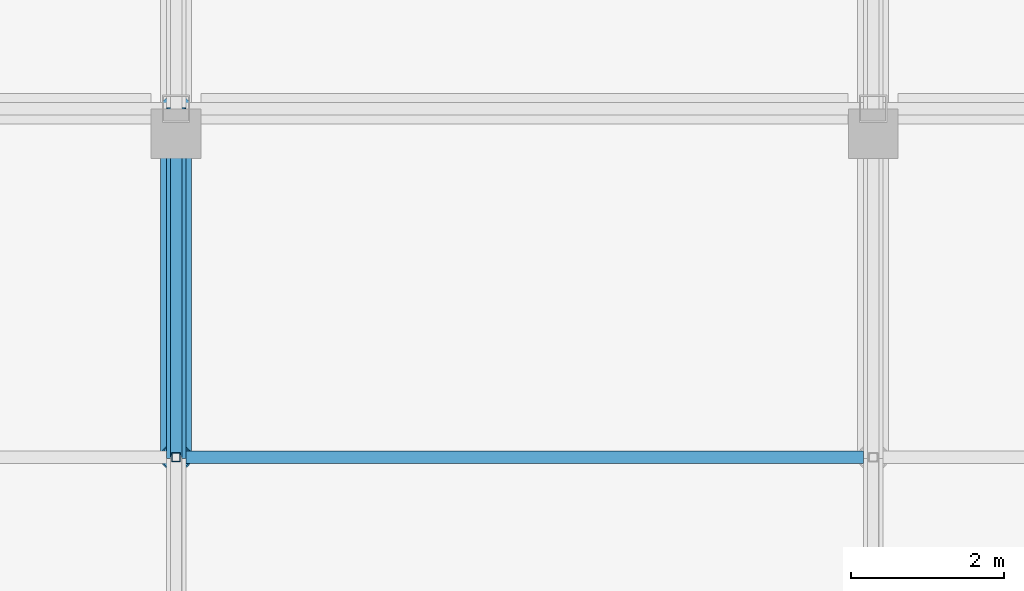
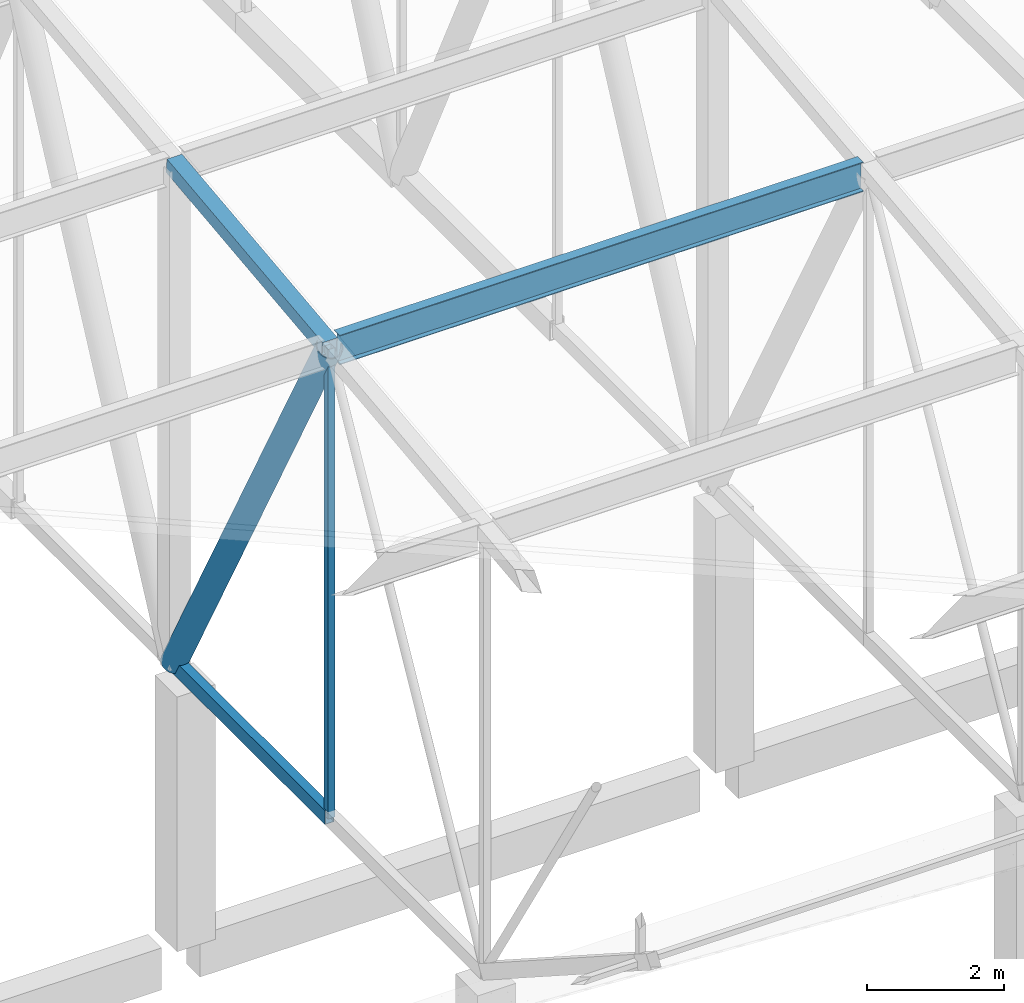
# One storey, part 96 of 500: 5 members.
"""IFC4 building model written with IfcOpenShell, lengths in metres."""

from ifc_helpers import new_model, si_unit, direction, frame, origin, origin_2d, place, context, subcontext, project, spatial, hollow_rectangle, hollow_circle, i_section, extrude, material, material_profile, profile_set, type_object, element, save


model = new_model("IFC4")

# Units and contexts
model_context = context("Model", 3, precision=1e-05, world=origin(), true_north=direction((0.0, 1.0)))
body_context = subcontext(model_context, "Body", "Model", "MODEL_VIEW")
ifc_project = project(units=[si_unit("LENGTHUNIT", "METRE"), si_unit("AREAUNIT", "SQUARE_METRE"), si_unit("VOLUMEUNIT", "CUBIC_METRE"), si_unit("PLANEANGLEUNIT", "RADIAN"), si_unit("MASSUNIT", "GRAM", prefix="KILO")], contexts=[model_context])

# Site, building, storey
site_placement = place(None, origin())
site = spatial("IfcSite", under=ifc_project, at=site_placement, CompositionType="ELEMENT")
building_placement = place(site_placement, origin())
building = spatial("IfcBuilding", under=site, at=building_placement, Name="Shirokan Park Arena", CompositionType="ELEMENT")
storey_placement = place(building_placement, frame((0.0, 0.0, 29.1201171875)))
storey = spatial("IfcBuildingStorey", under=building, at=storey_placement, Name="L06", CompositionType="ELEMENT", Elevation=29.1201171875)

# Members
ifc_material_1 = material(Name="Steel ASTM A500 Grade C", Category="steel")
ifc_material_profile_1 = material_profile(ifc_material_1, hollow_rectangle(XDim=0.152099609375, YDim=0.25390625, WallThickness=0.009521484375, at=origin_2d()), Name="HSS254X152.4X9.5")
ifc_profile_set_1 = profile_set([ifc_material_profile_1], Name="Steel ASTM A500 Grade C")
member_type_1 = type_object("IfcMemberType", Name="Bottom chord HSS254X152.4X9.5", PredefinedType="CHORD", material=ifc_profile_set_1)
member_1_placement = place(storey_placement, frame((63.699951171875, 4.550048828125, 4.677001953125), z_axis=(0.0, 1.0, 0.0), x_axis=(-1.0, 0.0, 0.0)))
element("IfcMember", 1, at=member_1_placement, inside=storey, type_object=member_type_1, Name="Truss T08 bottom chord 4", PredefinedType="CHORD", context=body_context, shape_type="SweptSolid", body=[
    extrude(hollow_rectangle(XDim=0.152099609375, YDim=0.25390625, WallThickness=0.009521484375, at=origin_2d()), origin(), (0.0, 0.0, 1.0), 4.550048828125),
])
ifc_material_2 = material(Name="Steel ASTM A992", Category="steel")
ifc_material_profile_2 = material_profile(ifc_material_2, i_section(OverallWidth=0.166015625, OverallDepth=0.528076171875, WebThickness=0.009765625, FlangeThickness=0.013671875, at=origin_2d()), Name="W530X74")
ifc_profile_set_2 = profile_set([ifc_material_profile_2], Name="Steel ASTM A992")
member_type_2 = type_object("IfcMemberType", Name="Purlin W530X74", PredefinedType="PURLIN", material=ifc_profile_set_2)
member_2_placement = place(storey_placement, frame((63.826904296875, 4.550048828125, 13.005859375), z_axis=(1.0, 0.0, 0.0), x_axis=(0.0, 1.0, 0.0)))
element("IfcMember", 2, at=member_2_placement, inside=storey, type_object=member_type_2, Name="Purlin 4 bay 8", PredefinedType="PURLIN", context=body_context, shape_type="SweptSolid", body=[
    extrude(i_section(OverallWidth=0.166015625, OverallDepth=0.528076171875, WebThickness=0.009765625, FlangeThickness=0.013671875, at=origin_2d()), origin(), (0.0, 0.0, 1.0), 8.84619140625),
])
ifc_material_profile_3 = material_profile(ifc_material_1, hollow_rectangle(XDim=0.25390625, YDim=0.25390625, WallThickness=0.009521484375, at=origin_2d()), Name="HSS254X254X9.5")
ifc_profile_set_3 = profile_set([ifc_material_profile_3], Name="Steel ASTM A500 Grade C")
member_type_3 = type_object("IfcMemberType", Name="Top chord HSS254X254X9.5", PredefinedType="CHORD", material=ifc_profile_set_3)
member_3_placement = place(storey_placement, frame((63.699951171875, 4.550048828125, 13.061279296875), z_axis=(0.0, 0.993532328996, 0.113549598152), x_axis=(-1.0, 0.0, 0.0)))
element("IfcMember", 3, at=member_3_placement, inside=storey, type_object=member_type_3, Name="Truss T08 top chord 4", PredefinedType="CHORD", context=body_context, shape_type="SweptSolid", body=[
    extrude(hollow_rectangle(XDim=0.25390625, YDim=0.25390625, WallThickness=0.009521484375, at=origin_2d()), origin(), (0.0, 0.0, 1.0), 4.57958984375),
])
ifc_material_profile_4 = material_profile(ifc_material_1, hollow_circle(Radius=0.202880859375, WallThickness=0.015869140625, at=origin_2d()), Name="HSS406.4X15.9")
ifc_profile_set_4 = profile_set([ifc_material_profile_4], Name="Steel ASTM A500 Grade C")
member_type_4 = type_object("IfcMemberType", Name="Truss diagonal HSS406.4X15.9", PredefinedType="BRACE", material=ifc_profile_set_4)
member_4_placement = place(storey_placement, frame((63.699951171875, 4.550048828125, 13.061279296875), z_axis=(0.0, 0.476977206611, -0.878915663971), x_axis=(-1.0, 0.0, 0.0)))
element("IfcMember", 4, at=member_4_placement, inside=storey, type_object=member_type_4, Name="Truss T08 diagonal 4", PredefinedType="BRACE", context=body_context, shape_type="SweptSolid", body=[
    extrude(hollow_circle(Radius=0.202880859375, WallThickness=0.015869140625, at=origin_2d()), origin(), (0.0, 0.0, 1.0), 9.539306640625),
])
ifc_material_profile_5 = material_profile(ifc_material_1, hollow_rectangle(XDim=0.114013671875, YDim=0.114013671875, WallThickness=0.00634765625, at=origin_2d()), Name="HSS114.3X114.3X6.4")
ifc_profile_set_5 = profile_set([ifc_material_profile_5], Name="Steel ASTM A500 Grade C")
member_type_5 = type_object("IfcMemberType", Name="Truss post HSS114.3X114.3X6.4", PredefinedType="POST", material=ifc_profile_set_5)
member_5_placement = place(storey_placement, frame((63.699951171875, 4.550048828125, 4.677001953125), z_axis=(0.0, 0.0, 1.0), x_axis=(1.0, 0.0, 0.0)))
element("IfcMember", 5, at=member_5_placement, inside=storey, type_object=member_type_5, Name="Truss T08 post 4", PredefinedType="POST", context=body_context, shape_type="SweptSolid", body=[
    extrude(hollow_rectangle(XDim=0.114013671875, YDim=0.114013671875, WallThickness=0.00634765625, at=origin_2d()), origin(), (0.0, 0.0, 1.0), 8.38427734375),
])

save(model, "model.ifc")
